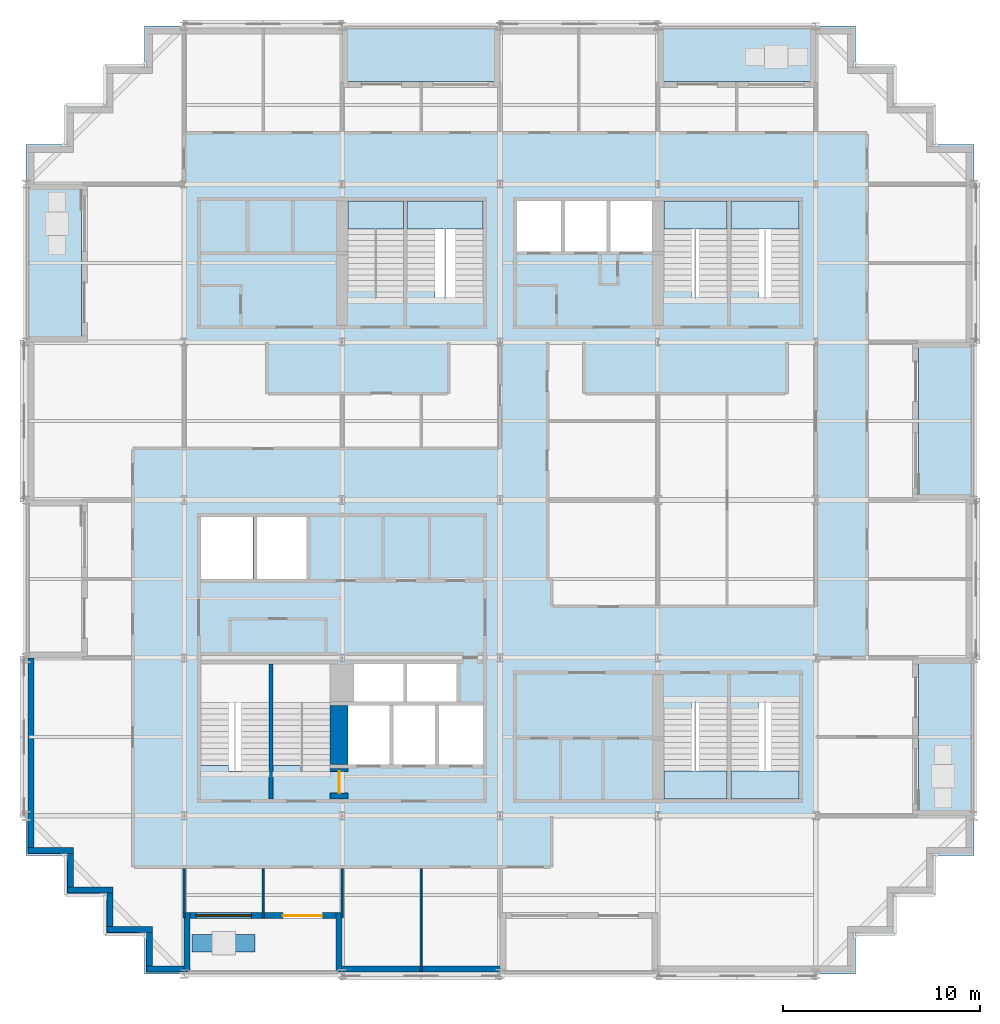
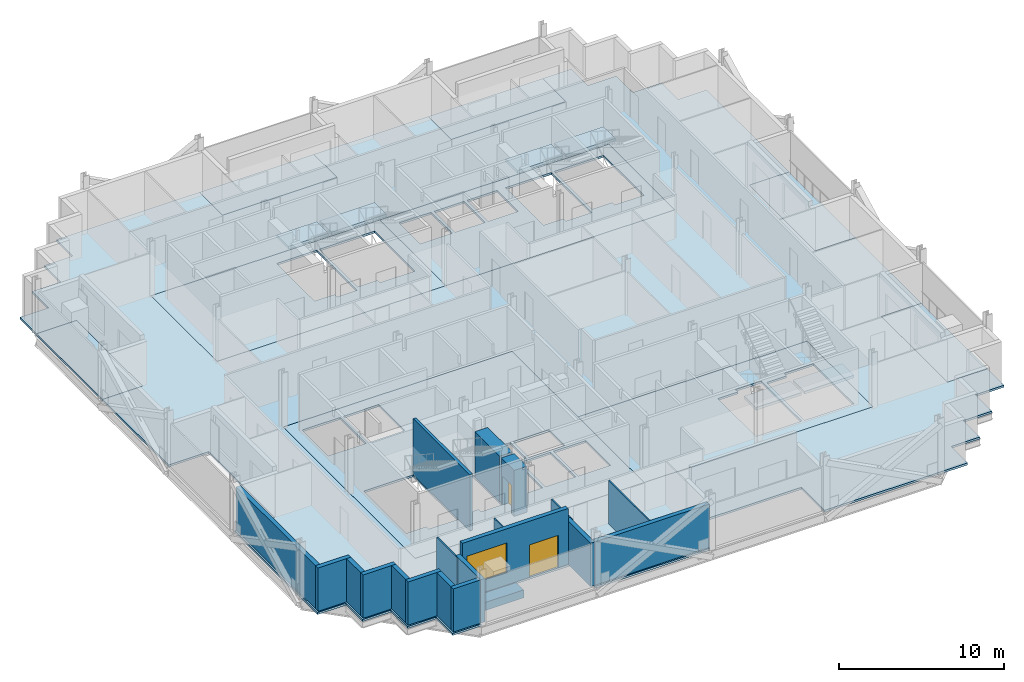
# One storey, part 5 of 15: 20 walls, 16 slabs, 2 doors, 1 window, 3 openings, 6 elements without a shape of their own.
"""IFC4 building model written with IfcOpenShell, lengths in metres."""

from ifc_helpers import new_model, si_unit, direction, frame, frame_2d, origin, place, context, subcontext, project, spatial, polyline, rectangle, outline, extrude, material, layer, layer_set, type_object, element, fill, aggregate, save


model = new_model("IFC4")

# Units and contexts
model_context = context("Model", 3, precision=1e-05, world=origin(), true_north=direction((0.0, 1.0)))
body_context = subcontext(model_context, "Body", "Model", "MODEL_VIEW")
ifc_project = project(units=[si_unit("LENGTHUNIT", "METRE"), si_unit("AREAUNIT", "SQUARE_METRE"), si_unit("VOLUMEUNIT", "CUBIC_METRE"), si_unit("PLANEANGLEUNIT", "RADIAN"), si_unit("MASSUNIT", "GRAM", prefix="KILO")], contexts=[model_context])

# Site, building, storey
site_placement = place(None, origin())
site = spatial("IfcSite", under=ifc_project, at=site_placement, CompositionType="ELEMENT")
building_placement = place(site_placement, origin())
building = spatial("IfcBuilding", under=site, at=building_placement, Name="Immortelle Media Tower", CompositionType="ELEMENT")
storey_placement = place(building_placement, frame((0.0, 0.0, 109.60009765625)))
storey = spatial("IfcBuildingStorey", under=building, at=storey_placement, Name="L21", CompositionType="ELEMENT", Elevation=109.60009765625)

# Slabs
ifc_material_1 = material(Name="Concrete C50/60 composite deck", Category="concrete")
ifc_layer_1 = layer(ifc_material_1, 0.14990234375)
ifc_layer_set_1 = layer_set([ifc_layer_1], Name="Concrete C50/60 composite deck")
slab_type_1 = type_object("IfcSlabType", Name="Balcony slab 150", PredefinedType="FLOOR", material=ifc_layer_set_1)
slab_1_placement = place(storey_placement, frame((0.0, 0.0, -0.150146484375)))
element("IfcSlab", 1, at=slab_1_placement, inside=storey, type_object=slab_type_1, Name="Balcony slab L21 W0", PredefinedType="FLOOR", context=body_context, shape_type="SweptSolid", body=[
    extrude(outline(polyline([(2.800048828125, 32.0), (2.800048828125, 40.0), (0.0, 40.0), (0.0, 32.0), (2.800048828125, 32.0)])), origin(), (0.0, 0.0, 1.0), 0.150146484375),
])
slab_2_placement = place(storey_placement, frame((0.0, 0.0, -0.150146484375)))
element("IfcSlab", 2, at=slab_2_placement, inside=storey, type_object=slab_type_1, Name="Balcony slab L21 E0", PredefinedType="FLOOR", context=body_context, shape_type="SweptSolid", body=[
    extrude(outline(polyline([(48.0, 8.0), (48.0, 16.0), (45.199951171875, 16.0), (45.199951171875, 8.0), (48.0, 8.0)])), origin(), (0.0, 0.0, 1.0), 0.150146484375),
])
slab_3_placement = place(storey_placement, frame((0.0, 0.0, -0.150146484375)))
element("IfcSlab", 3, at=slab_3_placement, inside=storey, type_object=slab_type_1, Name="Balcony slab L21 E2", PredefinedType="FLOOR", context=body_context, shape_type="SweptSolid", body=[
    extrude(outline(polyline([(48.0, 24.0), (48.0, 32.0), (45.199951171875, 32.0), (45.199951171875, 24.0), (48.0, 24.0)])), origin(), (0.0, 0.0, 1.0), 0.150146484375),
])
slab_4_placement = place(storey_placement, frame((0.0, 0.0, -0.150146484375)))
element("IfcSlab", 4, at=slab_4_placement, inside=storey, type_object=slab_type_1, Name="Balcony slab L21 N0", PredefinedType="FLOOR", context=body_context, shape_type="SweptSolid", body=[
    extrude(outline(polyline([(40.0, 45.199951171875), (40.0, 48.0), (32.0, 48.0), (32.0, 45.199951171875), (40.0, 45.199951171875)])), origin(), (0.0, 0.0, 1.0), 0.150146484375),
])
slab_5_placement = place(storey_placement, frame((0.0, 0.0, -0.150146484375)))
element("IfcSlab", 5, at=slab_5_placement, inside=storey, type_object=slab_type_1, Name="Balcony slab L21 N2", PredefinedType="FLOOR", context=body_context, shape_type="SweptSolid", body=[
    extrude(outline(polyline([(24.0, 45.199951171875), (24.0, 48.0), (16.0, 48.0), (16.0, 45.199951171875), (24.0, 45.199951171875)])), origin(), (0.0, 0.0, 1.0), 0.150146484375),
])
ifc_material_2 = material(Name="Concrete C50/60", Category="concrete")
ifc_layer_2 = layer(ifc_material_2, 0.14990234375)
ifc_layer_set_2 = layer_set([ifc_layer_2], Name="Concrete C50/60")
slab_type_2 = type_object("IfcSlabType", Name="Composite floor slab 150", PredefinedType="FLOOR", material=ifc_layer_set_2)
slab_6_placement = place(storey_placement, frame((0.0, 0.0, -0.150146484375)))
element("IfcSlab", 6, at=slab_6_placement, inside=storey, type_object=slab_type_2, Name="Floor slab L21", PredefinedType="FLOOR", context=body_context, shape_type="SweptSolid", body=[
    extrude(outline(polyline([(6.0, 0.0), (6.0, 2.0), (4.0, 2.0), (4.0, 4.0), (2.0, 4.0), (2.0, 6.0), (0.0, 6.0), (0.0, 16.0), (2.800048828125, 16.0), (2.800048828125, 24.0), (0.0, 24.0), (0.0, 32.0), (2.800048828125, 32.0), (2.800048828125, 40.0), (0.0, 40.0), (0.0, 42.0), (2.0, 42.0), (2.0, 44.0), (4.0, 44.0), (4.0, 46.0), (6.0, 46.0), (6.0, 48.0), (16.0, 48.0), (16.0, 45.199951171875), (24.0, 45.199951171875), (24.0, 48.0), (32.0, 48.0), (32.0, 45.199951171875), (40.0, 45.199951171875), (40.0, 48.0), (42.0, 48.0), (42.0, 46.0), (44.0, 46.0), (44.0, 44.0), (46.0, 44.0), (46.0, 42.0), (48.0, 42.0), (48.0, 32.0), (45.199951171875, 32.0), (45.199951171875, 24.0), (48.0, 24.0), (48.0, 16.0), (45.199951171875, 16.0), (45.199951171875, 8.0), (48.0, 8.0), (48.0, 6.0), (46.0, 6.0), (46.0, 4.0), (44.0, 4.0), (44.0, 2.0), (42.0, 2.0), (42.0, 0.0), (32.0, 0.0), (32.0, 2.800048828125), (24.0, 2.800048828125), (24.0, 0.0), (16.0, 0.0), (16.0, 2.800048828125), (8.0, 2.800048828125), (8.0, 0.0), (6.0, 0.0)]), holes=[polyline([(24.0, 24.0), (8.0, 24.0), (8.0, 8.0), (24.0, 8.0), (40.0, 8.0), (40.0, 16.0), (24.0, 16.0), (24.0, 24.0)]), polyline([(24.0, 32.0), (40.0, 32.0), (40.0, 40.0), (24.0, 40.0), (8.0, 40.0), (8.0, 32.0), (24.0, 32.0)])]), origin(), (0.0, 0.0, 1.0), 0.150146484375),
])
ifc_layer_3 = layer(ifc_material_2, 0.14990234375)
ifc_layer_set_3 = layer_set([ifc_layer_3], Name="Concrete C50/60")
slab_type_3 = type_object("IfcSlabType", Name="Core floor slab 150", PredefinedType="FLOOR", material=ifc_layer_set_3)
slab_7_placement = place(storey_placement, frame((0.0, 0.0, -0.150146484375)))
element("IfcSlab", 7, at=slab_7_placement, inside=storey, type_object=slab_type_3, Name="Core floor SW", PredefinedType="FLOOR", context=body_context, shape_type="SweptSolid", body=[
    extrude(outline(polyline([(8.0, 8.0), (24.0, 8.0), (24.0, 24.0), (8.0, 24.0), (8.0, 8.0)]), holes=[polyline([(8.85009765625, 20.0), (11.5, 20.0), (11.5, 23.14990234375), (8.85009765625, 23.14990234375), (8.85009765625, 20.0)]), polyline([(11.699951171875, 20.0), (14.199951171875, 20.0), (14.199951171875, 23.14990234375), (11.699951171875, 23.14990234375), (11.699951171875, 20.0)]), polyline([(16.60009765625, 13.800048828125), (19.10009765625, 13.800048828125), (19.10009765625, 15.699951171875), (16.60009765625, 15.699951171875), (16.60009765625, 13.800048828125)]), polyline([(19.300048828125, 13.800048828125), (21.800048828125, 13.800048828125), (21.800048828125, 15.699951171875), (19.300048828125, 15.699951171875), (19.300048828125, 13.800048828125)]), polyline([(16.300048828125, 10.60009765625), (18.39990234375, 10.60009765625), (18.39990234375, 13.60009765625), (16.300048828125, 13.60009765625), (16.300048828125, 10.60009765625)]), polyline([(18.60009765625, 10.60009765625), (20.699951171875, 10.60009765625), (20.699951171875, 13.60009765625), (18.60009765625, 13.60009765625), (18.60009765625, 10.60009765625)]), polyline([(20.89990234375, 10.60009765625), (23.14990234375, 10.60009765625), (23.14990234375, 13.60009765625), (20.89990234375, 13.60009765625), (20.89990234375, 10.60009765625)]), polyline([(8.85009765625, 15.699951171875), (12.300048828125, 15.699951171875), (12.300048828125, 10.27001953125), (10.25, 10.27001953125), (10.25, 10.56005859375), (8.85009765625, 10.56005859375), (8.85009765625, 15.699951171875)]), polyline([(12.5, 15.699951171875), (15.39990234375, 15.699951171875), (15.39990234375, 10.27001953125), (13.89990234375, 10.27001953125), (13.89990234375, 10.56005859375), (12.5, 10.56005859375), (12.5, 15.699951171875)])]), origin(), (0.0, 0.0, 1.0), 0.150146484375),
])
slab_8_placement = place(storey_placement, frame((0.0, 0.0, -0.150146484375)))
element("IfcSlab", 8, at=slab_8_placement, inside=storey, type_object=slab_type_3, Name="Core floor SE", PredefinedType="FLOOR", context=body_context, shape_type="SweptSolid", body=[
    extrude(outline(polyline([(24.0, 8.0), (40.0, 8.0), (40.0, 16.0), (24.0, 16.0), (24.0, 8.0)]), holes=[polyline([(35.5, 13.72998046875), (35.5, 8.85009765625), (32.300048828125, 8.85009765625), (32.300048828125, 13.43994140625), (33.699951171875, 13.43994140625), (33.699951171875, 13.72998046875), (35.5, 13.72998046875)]), polyline([(39.14990234375, 13.72998046875), (39.14990234375, 8.85009765625), (35.699951171875, 8.85009765625), (35.699951171875, 13.43994140625), (37.10009765625, 13.43994140625), (37.10009765625, 13.72998046875), (39.14990234375, 13.72998046875)])]), origin(), (0.0, 0.0, 1.0), 0.150146484375),
])
slab_9_placement = place(storey_placement, frame((0.0, 0.0, -0.150146484375)))
element("IfcSlab", 9, at=slab_9_placement, inside=storey, type_object=slab_type_3, Name="Core floor NW", PredefinedType="FLOOR", context=body_context, shape_type="SweptSolid", body=[
    extrude(outline(polyline([(8.0, 32.0), (24.0, 32.0), (24.0, 40.0), (8.0, 40.0), (8.0, 32.0)]), holes=[polyline([(16.300048828125, 39.14990234375), (19.10009765625, 39.14990234375), (19.10009765625, 34.27001953125), (17.699951171875, 34.27001953125), (17.699951171875, 34.56005859375), (16.300048828125, 34.56005859375), (16.300048828125, 39.14990234375)]), polyline([(19.300048828125, 39.14990234375), (23.14990234375, 39.14990234375), (23.14990234375, 34.27001953125), (20.699951171875, 34.27001953125), (20.699951171875, 34.56005859375), (19.300048828125, 34.56005859375), (19.300048828125, 39.14990234375)])]), origin(), (0.0, 0.0, 1.0), 0.150146484375),
])
slab_10_placement = place(storey_placement, frame((0.0, 0.0, -0.150146484375)))
element("IfcSlab", 10, at=slab_10_placement, inside=storey, type_object=slab_type_3, Name="Core floor NE", PredefinedType="FLOOR", context=body_context, shape_type="SweptSolid", body=[
    extrude(outline(polyline([(24.0, 32.0), (40.0, 32.0), (40.0, 40.0), (24.0, 40.0), (24.0, 32.0)]), holes=[polyline([(24.85009765625, 36.60009765625), (27.10009765625, 36.60009765625), (27.10009765625, 39.14990234375), (24.85009765625, 39.14990234375), (24.85009765625, 36.60009765625)]), polyline([(27.300048828125, 36.60009765625), (29.39990234375, 36.60009765625), (29.39990234375, 39.14990234375), (27.300048828125, 39.14990234375), (27.300048828125, 36.60009765625)]), polyline([(29.60009765625, 36.60009765625), (31.699951171875, 36.60009765625), (31.699951171875, 39.14990234375), (29.60009765625, 39.14990234375), (29.60009765625, 36.60009765625)]), polyline([(32.300048828125, 39.14990234375), (35.5, 39.14990234375), (35.5, 34.27001953125), (33.699951171875, 34.27001953125), (33.699951171875, 34.56005859375), (32.300048828125, 34.56005859375), (32.300048828125, 39.14990234375)]), polyline([(35.699951171875, 39.14990234375), (39.14990234375, 39.14990234375), (39.14990234375, 34.27001953125), (37.10009765625, 34.27001953125), (37.10009765625, 34.56005859375), (35.699951171875, 34.56005859375), (35.699951171875, 39.14990234375)])]), origin(), (0.0, 0.0, 1.0), 0.150146484375),
])

# Stair, slab
ifc_material_3 = material(Name="Steel ASTM A992 Gr 50", Category="steel")
stair_type = type_object("IfcStairType", Name="Stair with flights", PredefinedType="DOUBLE_RETURN_STAIR", material=ifc_material_3)
stair_1_placement = place(storey_placement, origin())
stair_1 = element("IfcStair", 11, at=stair_1_placement, inside=storey, type_object=stair_type, Name="Exit stair SE1", PredefinedType="DOUBLE_RETURN_STAIR")
ifc_material_4 = material(Name="Steel ASTM A572 Gr 50", Category="steel")
ifc_layer_4 = layer(ifc_material_4, 0.199951171875)
ifc_layer_set_4 = layer_set([ifc_layer_4], Name="Steel ASTM A572 Gr 50")
slab_type_4 = type_object("IfcSlabType", Name="Stair landing 200", PredefinedType="LANDING", material=ifc_layer_set_4)
slab_11_placement = place(storey_placement, frame((0.0, 0.0, 1.911865234375)))
slab_11 = element("IfcSlab", 12, at=slab_11_placement, type_object=slab_type_4, Name="ST SE1 landing 1", PredefinedType="LANDING", context=body_context, shape_type="SweptSolid", body=[
    extrude(outline(polyline([(32.300048828125, 8.85009765625), (35.5, 8.85009765625), (35.5, 10.27001953125), (32.300048828125, 10.27001953125), (32.300048828125, 8.85009765625)])), origin(), (0.0, 0.0, 1.0), 0.199951171875),
])
aggregate(stair_1, [slab_11])

stair_2_placement = place(storey_placement, origin())
stair_2 = element("IfcStair", 13, at=stair_2_placement, inside=storey, type_object=stair_type, Name="Exit stair SE2", PredefinedType="DOUBLE_RETURN_STAIR")
slab_12_placement = place(storey_placement, frame((0.0, 0.0, 1.911865234375)))
slab_12 = element("IfcSlab", 14, at=slab_12_placement, type_object=slab_type_4, Name="ST SE2 landing 1", PredefinedType="LANDING", context=body_context, shape_type="SweptSolid", body=[
    extrude(outline(polyline([(35.699951171875, 8.85009765625), (39.14990234375, 8.85009765625), (39.14990234375, 10.27001953125), (35.699951171875, 10.27001953125), (35.699951171875, 8.85009765625)])), origin(), (0.0, 0.0, 1.0), 0.199951171875),
])
aggregate(stair_2, [slab_12])

stair_3_placement = place(storey_placement, origin())
stair_3 = element("IfcStair", 15, at=stair_3_placement, inside=storey, type_object=stair_type, Name="Exit stair NW1", PredefinedType="DOUBLE_RETURN_STAIR")
slab_13_placement = place(storey_placement, frame((0.0, 0.0, 1.911865234375)))
slab_13 = element("IfcSlab", 16, at=slab_13_placement, type_object=slab_type_4, Name="ST NW1 landing 1", PredefinedType="LANDING", context=body_context, shape_type="SweptSolid", body=[
    extrude(outline(polyline([(16.300048828125, 37.72998046875), (19.10009765625, 37.72998046875), (19.10009765625, 39.14990234375), (16.300048828125, 39.14990234375), (16.300048828125, 37.72998046875)])), origin(), (0.0, 0.0, 1.0), 0.199951171875),
])
aggregate(stair_3, [slab_13])

stair_4_placement = place(storey_placement, origin())
stair_4 = element("IfcStair", 17, at=stair_4_placement, inside=storey, type_object=stair_type, Name="Exit stair NW2", PredefinedType="DOUBLE_RETURN_STAIR")
slab_14_placement = place(storey_placement, frame((0.0, 0.0, 1.911865234375)))
slab_14 = element("IfcSlab", 18, at=slab_14_placement, type_object=slab_type_4, Name="ST NW2 landing 1", PredefinedType="LANDING", context=body_context, shape_type="SweptSolid", body=[
    extrude(outline(polyline([(19.300048828125, 37.72998046875), (23.14990234375, 37.72998046875), (23.14990234375, 39.14990234375), (19.300048828125, 39.14990234375), (19.300048828125, 37.72998046875)])), origin(), (0.0, 0.0, 1.0), 0.199951171875),
])
aggregate(stair_4, [slab_14])

stair_5_placement = place(storey_placement, origin())
stair_5 = element("IfcStair", 19, at=stair_5_placement, inside=storey, type_object=stair_type, Name="Exit stair NE1", PredefinedType="DOUBLE_RETURN_STAIR")
slab_15_placement = place(storey_placement, frame((0.0, 0.0, 1.911865234375)))
slab_15 = element("IfcSlab", 20, at=slab_15_placement, type_object=slab_type_4, Name="ST NE1 landing 1", PredefinedType="LANDING", context=body_context, shape_type="SweptSolid", body=[
    extrude(outline(polyline([(32.300048828125, 37.72998046875), (35.5, 37.72998046875), (35.5, 39.14990234375), (32.300048828125, 39.14990234375), (32.300048828125, 37.72998046875)])), origin(), (0.0, 0.0, 1.0), 0.199951171875),
])
aggregate(stair_5, [slab_15])

stair_6_placement = place(storey_placement, origin())
stair_6 = element("IfcStair", 21, at=stair_6_placement, inside=storey, type_object=stair_type, Name="Exit stair NE2", PredefinedType="DOUBLE_RETURN_STAIR")
slab_16_placement = place(storey_placement, frame((0.0, 0.0, 1.911865234375)))
slab_16 = element("IfcSlab", 22, at=slab_16_placement, type_object=slab_type_4, Name="ST NE2 landing 1", PredefinedType="LANDING", context=body_context, shape_type="SweptSolid", body=[
    extrude(outline(polyline([(35.699951171875, 37.72998046875), (39.14990234375, 37.72998046875), (39.14990234375, 39.14990234375), (35.699951171875, 39.14990234375), (35.699951171875, 37.72998046875)])), origin(), (0.0, 0.0, 1.0), 0.199951171875),
])
aggregate(stair_6, [slab_16])

# Walls
ifc_material_5 = material(Name="Pale aluminium cladding panel", Category="aluminium")
ifc_layer_5 = layer(ifc_material_5, 0.030029296875)
ifc_material_6 = material(Name="Steel ASTM A653 SS Gr 50 stud frame with mineral wool", Category="steel")
ifc_layer_6 = layer(ifc_material_6, 0.257568359375)
ifc_material_7 = material(Name="Moisture-resistant gypsum board", Category="gypsum")
ifc_layer_7 = layer(ifc_material_7, 0.012451171875)
ifc_layer_set_5 = layer_set([ifc_layer_5, ifc_layer_6, ifc_layer_7], Name="Steel ASTM A653 SS Gr 50 stud frame with mineral wool")
wall_type_1 = type_object("IfcWallType", Name="Facade wall 300", PredefinedType="SOLIDWALL", material=ifc_layer_set_5)
wall_1_placement = place(storey_placement, frame((0.25, 16.0, 0.0), z_axis=(0.0, 0.0, 1.0), x_axis=(0.0, -1.0, 0.0)))
element("IfcWall", 23, at=wall_1_placement, inside=storey, type_object=wall_type_1, Name="Facade wall L21 W0", PredefinedType="SOLIDWALL", context=body_context, shape_type="SweptSolid", body=[
    extrude(rectangle(XDim=9.60009765625, YDim=0.300048828125, at=frame_2d((4.800048828125, 0.0))), origin(), (0.0, 0.0, 1.0), 3.198974609375),
])
wall_2_placement = place(storey_placement, frame((0.10009765625, 6.25, 0.0), z_axis=(0.0, 0.0, 1.0), x_axis=(1.0, 0.0, 0.0)))
element("IfcWall", 24, at=wall_2_placement, inside=storey, type_object=wall_type_1, Name="Facade wall L21 S1", PredefinedType="SOLIDWALL", context=body_context, shape_type="SweptSolid", body=[
    extrude(rectangle(XDim=2.2998046875, YDim=0.300048828125, at=frame_2d((1.14990234375, 0.0))), origin(), (0.0, 0.0, 1.0), 3.198974609375),
])
wall_3_placement = place(storey_placement, frame((2.25, 6.10009765625, 0.0), z_axis=(0.0, 0.0, 1.0), x_axis=(0.0, -1.0, 0.0)))
element("IfcWall", 25, at=wall_3_placement, inside=storey, type_object=wall_type_1, Name="Facade wall L21 W2", PredefinedType="SOLIDWALL", context=body_context, shape_type="SweptSolid", body=[
    extrude(rectangle(XDim=1.7001953125, YDim=0.300048828125, at=frame_2d((0.85009765625, 0.0))), origin(), (0.0, 0.0, 1.0), 3.198974609375),
])
wall_4_placement = place(storey_placement, frame((2.10009765625, 4.25, 0.0), z_axis=(0.0, 0.0, 1.0), x_axis=(1.0, 0.0, 0.0)))
element("IfcWall", 26, at=wall_4_placement, inside=storey, type_object=wall_type_1, Name="Facade wall L21 S3", PredefinedType="SOLIDWALL", context=body_context, shape_type="SweptSolid", body=[
    extrude(rectangle(XDim=2.2998046875, YDim=0.300048828125, at=frame_2d((1.14990234375, 0.0))), origin(), (0.0, 0.0, 1.0), 3.198974609375),
])
wall_5_placement = place(storey_placement, frame((4.25, 4.10009765625, 0.0), z_axis=(0.0, 0.0, 1.0), x_axis=(0.0, -1.0, 0.0)))
element("IfcWall", 27, at=wall_5_placement, inside=storey, type_object=wall_type_1, Name="Facade wall L21 W4", PredefinedType="SOLIDWALL", context=body_context, shape_type="SweptSolid", body=[
    extrude(rectangle(XDim=1.7001953125, YDim=0.300048828125, at=frame_2d((0.85009765625, 0.0))), origin(), (0.0, 0.0, 1.0), 3.198974609375),
])
wall_6_placement = place(storey_placement, frame((4.10009765625, 2.25, 0.0), z_axis=(0.0, 0.0, 1.0), x_axis=(1.0, 0.0, 0.0)))
element("IfcWall", 28, at=wall_6_placement, inside=storey, type_object=wall_type_1, Name="Facade wall L21 S5", PredefinedType="SOLIDWALL", context=body_context, shape_type="SweptSolid", body=[
    extrude(rectangle(XDim=2.2998046875, YDim=0.300048828125, at=frame_2d((1.14990234375, 0.0))), origin(), (0.0, 0.0, 1.0), 3.198974609375),
])
wall_7_placement = place(storey_placement, frame((6.25, 2.10009765625, 0.0), z_axis=(0.0, 0.0, 1.0), x_axis=(0.0, -1.0, 0.0)))
element("IfcWall", 29, at=wall_7_placement, inside=storey, type_object=wall_type_1, Name="Facade wall L21 W6", PredefinedType="SOLIDWALL", context=body_context, shape_type="SweptSolid", body=[
    extrude(rectangle(XDim=1.7001953125, YDim=0.300048828125, at=frame_2d((0.85009765625, 0.0))), origin(), (0.0, 0.0, 1.0), 3.198974609375),
])
wall_8_placement = place(storey_placement, frame((6.10009765625, 0.25, 0.0), z_axis=(0.0, 0.0, 1.0), x_axis=(1.0, 0.0, 0.0)))
element("IfcWall", 30, at=wall_8_placement, inside=storey, type_object=wall_type_1, Name="Facade wall L21 S7", PredefinedType="SOLIDWALL", context=body_context, shape_type="SweptSolid", body=[
    extrude(rectangle(XDim=1.89990234375, YDim=0.300048828125, at=frame_2d((0.949951171875, 0.0))), origin(), (0.0, 0.0, 1.0), 3.198974609375),
])

# Wall, openings, door, window
wall_9_placement = place(storey_placement, frame((8.300048828125, 2.949951171875, 0.0), z_axis=(0.0, 0.0, 1.0), x_axis=(1.0, 0.0, 0.0)))
wall_9 = element("IfcWall", 31, at=wall_9_placement, inside=storey, type_object=wall_type_1, Name="Loggia wall L21 S7", PredefinedType="SOLIDWALL", context=body_context, shape_type="SweptSolid", body=[
    extrude(rectangle(XDim=7.39990234375, YDim=0.300048828125, at=frame_2d((3.699951171875, 0.0))), origin(), (0.0, 0.0, 1.0), 4.14990234375),
])
opening_1_placement = place(wall_9_placement, frame((0.300048828125, 0.0, 0.89990234375)))
opening_1 = element("IfcOpeningElement", 32, at=opening_1_placement, cuts=wall_9, Name="Opening W1", PredefinedType="OPENING", context=body_context, shape_type="SweptSolid", body=[
    extrude(rectangle(XDim=2.800048828125, YDim=2.199951171875, at=frame_2d((1.39990234375, 1.10009765625))), frame((0.0, 0.159912109375, 0.0), z_axis=(0.0, -1.0, 0.0), x_axis=(1.0, 0.0, 0.0)), (0.0, 0.0, 1.0), 0.320068359375),
])
opening_2_placement = place(wall_9_placement, frame((4.699951171875, 0.0, 0.0)))
opening_2 = element("IfcOpeningElement", 33, at=opening_2_placement, cuts=wall_9, Name="Opening N7-E003", PredefinedType="OPENING", context=body_context, shape_type="SweptSolid", body=[
    extrude(rectangle(XDim=2.0, YDim=2.39990234375, at=frame_2d((1.0, 1.199951171875))), frame((0.0, 0.159912109375, 0.0), z_axis=(0.0, -1.0, 0.0), x_axis=(1.0, 0.0, 0.0)), (0.0, 0.0, 1.0), 0.320068359375),
])
ifc_material_8 = material(Name="Aluminium frame, glazed leaves", Category="aluminium")
door_type_1 = type_object("IfcDoorType", Name="Loggia door 2000 x 2400", OperationType="DOUBLE_DOOR_SINGLE_SWING", PredefinedType="DOOR", material=ifc_material_8)
door_1_placement = place(opening_2_placement, origin())
door_1 = element("IfcDoor", 34, at=door_1_placement, inside=storey, type_object=door_type_1, Name="Door N7-E003", OperationType="DOUBLE_DOOR_SINGLE_SWING", OverallHeight=2.39990234375, OverallWidth=2.0, PredefinedType="DOOR", context=body_context, shape_type="SweptSolid", body=[
    extrude(rectangle(XDim=2.0, YDim=2.39990234375, at=frame_2d((1.0, 1.199951171875))), frame((0.0, 0.02490234375, 0.0), z_axis=(0.0, -1.0, 0.0), x_axis=(1.0, 0.0, 0.0)), (0.0, 0.0, 1.0), 0.050048828125),
])
fill(opening_2, door_1)
ifc_material_9 = material(Name="Aluminium frame", Category="aluminium")
window_type = type_object("IfcWindowType", Name="Window 2800 x 2200", PartitioningType="SINGLE_PANEL", PredefinedType="WINDOW", material=ifc_material_9)
window_placement = place(opening_1_placement, origin())
window = element("IfcWindow", 35, at=window_placement, inside=storey, type_object=window_type, Name="Window L21 L21-R7-B0", OverallHeight=2.199951171875, OverallWidth=2.800048828125, PartitioningType="SINGLE_PANEL", PredefinedType="WINDOW", context=body_context, shape_type="SweptSolid", body=[
    extrude(rectangle(XDim=2.800048828125, YDim=2.199951171875, at=frame_2d((1.39990234375, 1.10009765625))), frame((0.0, 0.030029296875, 0.0), z_axis=(0.0, -1.0, 0.0), x_axis=(1.0, 0.0, 0.0)), (0.0, 0.0, 1.0), 0.06005859375),
])
fill(opening_1, window)

# Walls
for number, where, z_axis, x_axis, name in (
    (36, (8.14990234375, 0.10009765625, 0.0), (0.0, 0.0, 1.0), (0.0, 1.0, 0.0), "Loggia cheek wall L21 S"),
    (37, (15.85009765625, 0.10009765625, 0.0), (0.0, 0.0, 1.0), (0.0, 1.0, 0.0), "Loggia cheek wall L21 S"),
):
    element("IfcWall", number, at=place(storey_placement, frame(where, z_axis=z_axis, x_axis=x_axis)), inside=storey, type_object=wall_type_1, Name=name, PredefinedType="SOLIDWALL", context=body_context, shape_type="SweptSolid", body=[
        extrude(rectangle(XDim=3.0, YDim=0.300048828125, at=frame_2d((1.5, 0.0))), origin(), (0.0, 0.0, 1.0), 3.198974609375),
    ])
wall_10_placement = place(storey_placement, frame((16.0, 0.25, 0.0), z_axis=(0.0, 0.0, 1.0), x_axis=(1.0, 0.0, 0.0)))
element("IfcWall", 38, at=wall_10_placement, inside=storey, type_object=wall_type_1, Name="Facade wall L21 S7", PredefinedType="SOLIDWALL", context=body_context, shape_type="SweptSolid", body=[
    extrude(rectangle(XDim=8.0, YDim=0.300048828125, at=frame_2d((4.0, 0.0))), origin(), (0.0, 0.0, 1.0), 3.198974609375),
])
ifc_material_10 = material(Name="Gypsum board", Category="gypsum")
ifc_layer_8 = layer(ifc_material_10, 0.012451171875)
ifc_layer_9 = layer(ifc_material_6, 0.074951171875)
ifc_layer_10 = layer(ifc_material_10, 0.012451171875)
ifc_layer_set_6 = layer_set([ifc_layer_8, ifc_layer_9, ifc_layer_10], Name="Steel ASTM A653 SS Gr 50 stud frame with mineral wool")
wall_type_2 = type_object("IfcWallType", Name="Partition 100", PredefinedType="PARTITIONING", material=ifc_layer_set_6)
wall_11_placement = place(storey_placement, frame((20.0, 0.1298828125, 0.0), z_axis=(0.0, 0.0, 1.0), x_axis=(0.0, 1.0, 0.0)))
element("IfcWall", 39, at=wall_11_placement, inside=storey, type_object=wall_type_2, Name="Partition L21-001", PredefinedType="PARTITIONING", context=body_context, shape_type="SweptSolid", body=[
    extrude(rectangle(XDim=5.195068359375, YDim=0.10009765625, at=frame_2d((2.59765625, 0.0))), origin(), (0.0, 0.0, 1.0), 3.19384765625),
])
for number, where, z_axis, x_axis, name in (
    (40, (8.0, 2.830078125, 0.0), (0.0, 0.0, 1.0), (0.0, 1.0, 0.0), "Partition L21-002"),
    (41, (12.0, 2.830078125, 0.0), (0.0, 0.0, 1.0), (0.0, 1.0, 0.0), "Partition L21-003"),
    (42, (16.0, 2.830078125, 0.0), (0.0, 0.0, 1.0), (0.0, 1.0, 0.0), "Partition L21-004"),
):
    element("IfcWall", number, at=place(storey_placement, frame(where, z_axis=z_axis, x_axis=x_axis)), inside=storey, type_object=wall_type_2, Name=name, PredefinedType="PARTITIONING", context=body_context, shape_type="SweptSolid", body=[
        extrude(rectangle(XDim=2.494873046875, YDim=0.10009765625, at=frame_2d((1.24755859375, 0.0))), origin(), (0.0, 0.0, 1.0), 3.19384765625),
    ])
ifc_layer_11 = layer(ifc_material_5, 0.0029296875)
ifc_material_11 = material(Name="Steel ASTM A572 Gr 50 planter shell", Category="steel")
ifc_layer_12 = layer(ifc_material_11, 0.011962890625)
ifc_material_12 = material(Name="Planting substrate", Category="soil")
ifc_layer_13 = layer(ifc_material_12, 0.873046875)
ifc_layer_14 = layer(ifc_material_11, 0.011962890625)
ifc_layer_set_7 = layer_set([ifc_layer_11, ifc_layer_12, ifc_layer_13, ifc_layer_14], Name="Steel ASTM A572 Gr 50 planter shell")
wall_type_3 = type_object("IfcWallType", Name="Planter wall 900", PredefinedType="SOLIDWALL", material=ifc_layer_set_7)
wall_12_placement = place(storey_placement, frame((8.39990234375, 1.550048828125, 0.0), z_axis=(0.0, 0.0, 1.0), x_axis=(1.0, 0.0, 0.0)))
element("IfcWall", 43, at=wall_12_placement, inside=storey, type_object=wall_type_3, Name="Planter L21 S0", PredefinedType="SOLIDWALL", context=body_context, shape_type="SweptSolid", body=[
    extrude(rectangle(XDim=3.2001953125, YDim=0.89990234375, at=frame_2d((1.60009765625, 0.0))), origin(), (0.0, 0.0, 1.0), 0.599853515625),
])
ifc_material_13 = material(Name="Concrete C60", Category="concrete")
ifc_layer_15 = layer(ifc_material_13, 0.199951171875)
ifc_layer_set_8 = layer_set([ifc_layer_15], Name="Concrete C60")
wall_type_4 = type_object("IfcWallType", Name="Stair shaft wall 200", PredefinedType="PARTITIONING", material=ifc_layer_set_8)
wall_13_placement = place(storey_placement, frame((12.39990234375, 8.85009765625, 0.0), z_axis=(0.0, 0.0, 1.0), x_axis=(0.0, 1.0, 0.0)))
element("IfcWall", 44, at=wall_13_placement, inside=storey, type_object=wall_type_4, Name="Stair shaft wall SW", PredefinedType="PARTITIONING", context=body_context, shape_type="SweptSolid", body=[
    extrude(rectangle(XDim=6.849853515625, YDim=0.199951171875, at=frame_2d((3.4248046875, 0.0))), origin(), (0.0, 0.0, 1.0), 4.14990234375),
])

# Wall, opening, door
ifc_layer_16 = layer(ifc_material_13, 0.89990234375)
ifc_layer_set_9 = layer_set([ifc_layer_16], Name="Concrete C60")
wall_type_5 = type_object("IfcWallType", Name="Stair shaft wall 900", PredefinedType="PARTITIONING", material=ifc_layer_set_9)
wall_14_placement = place(storey_placement, frame((15.85009765625, 8.85009765625, 0.0), z_axis=(0.0, 0.0, 1.0), x_axis=(0.0, 1.0, 0.0)))
wall_14 = element("IfcWall", 45, at=wall_14_placement, inside=storey, type_object=wall_type_5, Name="Stair shaft wall SW", PredefinedType="PARTITIONING", context=body_context, shape_type="SweptSolid", body=[
    extrude(rectangle(XDim=1.5498046875, YDim=0.89990234375, at=frame_2d((0.77490234375, 0.0))), origin(), (0.0, 0.0, 1.0), 3.3818359375),
])
opening_3_placement = place(wall_14_placement, frame((0.300048828125, 0.0, 0.0)))
opening_3 = element("IfcOpeningElement", 46, at=opening_3_placement, cuts=wall_14, Name="Opening N7-K005", PredefinedType="OPENING", context=body_context, shape_type="SweptSolid", body=[
    extrude(rectangle(XDim=1.10009765625, YDim=2.10009765625, at=frame_2d((0.550048828125, 1.050048828125))), frame((0.0, 0.4599609375, 0.0), z_axis=(0.0, -1.0, 0.0), x_axis=(1.0, 0.0, 0.0)), (0.0, 0.0, 1.0), 0.919921875),
])
ifc_material_14 = material(Name="Galvanised steel door leaf and frame ASTM A653", Category="steel")
door_type_2 = type_object("IfcDoorType", Name="Stair lobby door 1100 x 2100", OperationType="NOTDEFINED", PredefinedType="NOTDEFINED", material=ifc_material_14)
door_2_placement = place(opening_3_placement, origin())
door_2 = element("IfcDoor", 47, at=door_2_placement, inside=storey, type_object=door_type_2, Name="Stair lobby N7-K005", OperationType="SINGLE_SWING_LEFT", OverallHeight=2.10009765625, OverallWidth=1.10009765625, PredefinedType="NOTDEFINED", context=body_context, shape_type="SweptSolid", body=[
    extrude(rectangle(XDim=1.10009765625, YDim=2.10009765625, at=frame_2d((0.550048828125, 1.050048828125))), frame((0.0, 0.02490234375, 0.0), z_axis=(0.0, -1.0, 0.0), x_axis=(1.0, 0.0, 0.0)), (0.0, 0.0, 1.0), 0.050048828125),
])
fill(opening_3, door_2)

# Wall
wall_15_placement = place(storey_placement, frame((15.85009765625, 10.60009765625, 0.0), z_axis=(0.0, 0.0, 1.0), x_axis=(0.0, 1.0, 0.0)))
element("IfcWall", 48, at=wall_15_placement, inside=storey, type_object=wall_type_5, Name="Stair shaft wall SW", PredefinedType="PARTITIONING", context=body_context, shape_type="SweptSolid", body=[
    extrude(rectangle(XDim=3.0, YDim=0.89990234375, at=frame_2d((1.5, 0.0))), origin(), (0.0, 0.0, 1.0), 3.3818359375),
])

save(model, "model.ifc")
